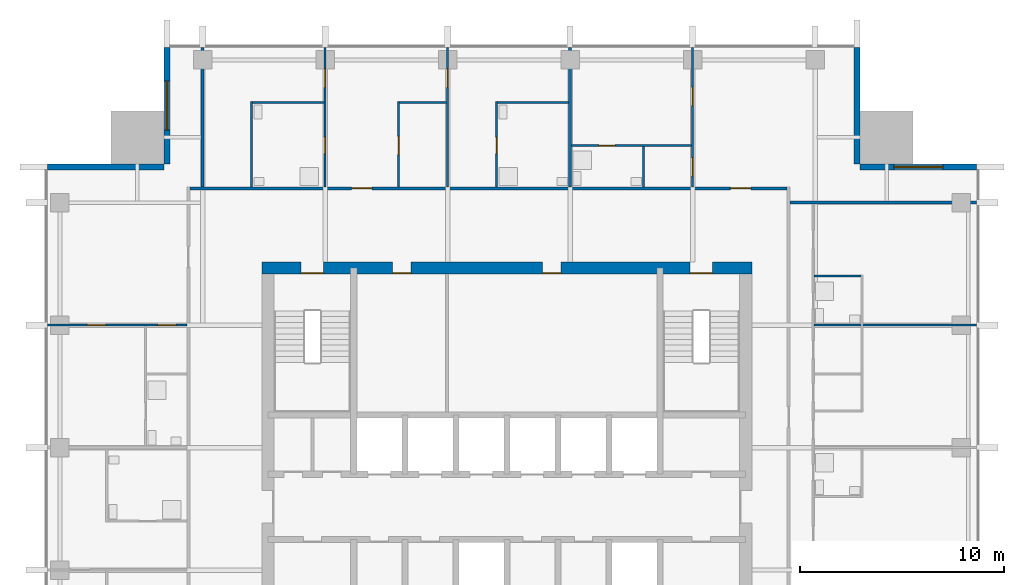
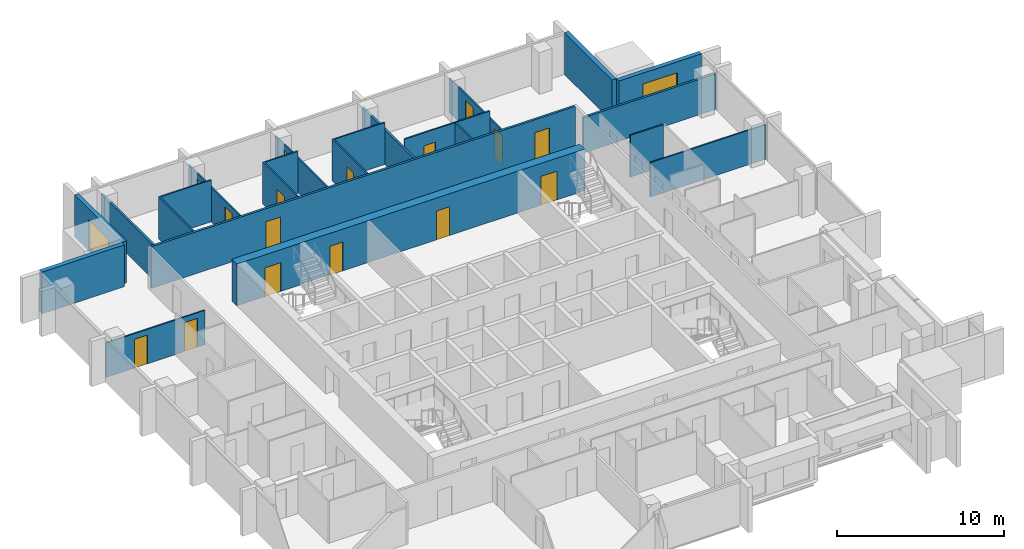
# One storey, part 7 of 10: 23 walls, 16 doors, 2 windows, 18 openings.
"""IFC4 building model written with IfcOpenShell, lengths in metres."""

from ifc_helpers import new_model, si_unit, direction, frame, frame_2d, origin, place, context, subcontext, project, spatial, rectangle, extrude, material, layer, layer_set, type_object, element, fill, save


model = new_model("IFC4")

# Units and contexts
model_context = context("Model", 3, precision=1e-05, world=origin(), true_north=direction((0.0, 1.0)))
body_context = subcontext(model_context, "Body", "Model", "MODEL_VIEW")
ifc_project = project(units=[si_unit("LENGTHUNIT", "METRE"), si_unit("AREAUNIT", "SQUARE_METRE"), si_unit("VOLUMEUNIT", "CUBIC_METRE"), si_unit("PLANEANGLEUNIT", "RADIAN"), si_unit("MASSUNIT", "GRAM", prefix="KILO")], contexts=[model_context])

# Site, building, storey
site_placement = place(None, origin())
site = spatial("IfcSite", under=ifc_project, at=site_placement, CompositionType="ELEMENT")
building_placement = place(site_placement, origin())
building = spatial("IfcBuilding", under=site, at=building_placement, Name="Amberfall Residences", CompositionType="ELEMENT")
storey_placement = place(building_placement, frame((0.0, 0.0, 203.5)))
storey = spatial("IfcBuildingStorey", under=building, at=storey_placement, Name="L54", CompositionType="ELEMENT", Elevation=203.5)

# Wall, opening, window
ifc_material_1 = material(Name="Pale stone cladding on insulated backing", Category="masonry")
ifc_layer_1 = layer(ifc_material_1, 0.300048828125)
ifc_layer_set_1 = layer_set([ifc_layer_1], Name="Bronze clad wall 300")
wall_type_1 = type_object("IfcWallType", Name="Bronze clad wall 300", PredefinedType="SOLIDWALL", material=ifc_layer_set_1)
wall_1_placement = place(storey_placement, frame((97.5, 62.14990234375, 0.0), z_axis=(0.0, 0.0, 1.0), x_axis=(-1.0, 0.0, 0.0)))
wall_1 = element("IfcWall", 1, at=wall_1_placement, inside=storey, type_object=wall_type_1, Name="External wall L54 NE", PredefinedType="SOLIDWALL", context=body_context, shape_type="SweptSolid", body=[
    extrude(rectangle(XDim=5.699951171875, YDim=0.300048828125, at=frame_2d((2.85009765625, 0.0))), origin(), (0.0, 0.0, 1.0), 3.050048828125),
])
opening_1_placement = place(wall_1_placement, frame((1.64990234375, 0.0, 0.14990234375)))
opening_1 = element("IfcOpeningElement", 2, at=opening_1_placement, cuts=wall_1, Name="Opening WN5", PredefinedType="OPENING", context=body_context, shape_type="SweptSolid", body=[
    extrude(rectangle(XDim=2.39990234375, YDim=2.10009765625, at=frame_2d((1.199951171875, 1.050048828125))), frame((0.0, 0.159912109375, 0.0), z_axis=(0.0, -1.0, 0.0), x_axis=(1.0, 0.0, 0.0)), (0.0, 0.0, 1.0), 0.320068359375),
])
ifc_material_2 = material(Name="Bronze aluminium framed glazing", Category="aluminium")
window_type = type_object("IfcWindowType", Name="Glazed opening 2400 x 2100 bronze", PartitioningType="DOUBLE_PANEL_VERTICAL", PredefinedType="WINDOW", material=ifc_material_2)
window_1_placement = place(opening_1_placement, origin())
window_1 = element("IfcWindow", 3, at=window_1_placement, inside=storey, type_object=window_type, Name="Window L54 NE", OverallHeight=2.10009765625, OverallWidth=2.39990234375, PartitioningType="DOUBLE_PANEL_VERTICAL", PredefinedType="WINDOW", context=body_context, shape_type="SweptSolid", body=[
    extrude(rectangle(XDim=2.39990234375, YDim=2.10009765625, at=frame_2d((1.199951171875, 1.050048828125))), frame((0.0, 0.030029296875, 0.0), z_axis=(0.0, -1.0, 0.0), x_axis=(1.0, 0.0, 0.0)), (0.0, 0.0, 1.0), 0.06005859375),
])
fill(opening_1, window_1)

# Wall
wall_2_placement = place(storey_placement, frame((91.64990234375, 62.300048828125, 0.0), z_axis=(0.0, 0.0, 1.0), x_axis=(0.0, 1.0, 0.0)))
element("IfcWall", 4, at=wall_2_placement, inside=storey, type_object=wall_type_1, Name="External wall L54 NE", PredefinedType="SOLIDWALL", context=body_context, shape_type="SweptSolid", body=[
    extrude(rectangle(XDim=5.699951171875, YDim=0.300048828125, at=frame_2d((2.85009765625, 0.0))), origin(), (0.0, 0.0, 1.0), 3.050048828125),
])

# Wall, opening, window
wall_3_placement = place(storey_placement, frame((57.85009765625, 68.0, 0.0), z_axis=(0.0, 0.0, 1.0), x_axis=(0.0, -1.0, 0.0)))
wall_3 = element("IfcWall", 5, at=wall_3_placement, inside=storey, type_object=wall_type_1, Name="External wall L54 NW", PredefinedType="SOLIDWALL", context=body_context, shape_type="SweptSolid", body=[
    extrude(rectangle(XDim=5.699951171875, YDim=0.300048828125, at=frame_2d((2.85009765625, 0.0))), origin(), (0.0, 0.0, 1.0), 3.050048828125),
])
opening_2_placement = place(wall_3_placement, frame((1.64990234375, 0.0, 0.14990234375)))
opening_2 = element("IfcOpeningElement", 6, at=opening_2_placement, cuts=wall_3, Name="Opening WN5", PredefinedType="OPENING", context=body_context, shape_type="SweptSolid", body=[
    extrude(rectangle(XDim=2.39990234375, YDim=2.10009765625, at=frame_2d((1.199951171875, 1.050048828125))), frame((0.0, 0.159912109375, 0.0), z_axis=(0.0, -1.0, 0.0), x_axis=(1.0, 0.0, 0.0)), (0.0, 0.0, 1.0), 0.320068359375),
])
window_2_placement = place(opening_2_placement, origin())
window_2 = element("IfcWindow", 7, at=window_2_placement, inside=storey, type_object=window_type, Name="Window L54 NW", OverallHeight=2.10009765625, OverallWidth=2.39990234375, PartitioningType="DOUBLE_PANEL_VERTICAL", PredefinedType="WINDOW", context=body_context, shape_type="SweptSolid", body=[
    extrude(rectangle(XDim=2.39990234375, YDim=2.10009765625, at=frame_2d((1.199951171875, 1.050048828125))), frame((0.0, 0.030029296875, 0.0), z_axis=(0.0, -1.0, 0.0), x_axis=(1.0, 0.0, 0.0)), (0.0, 0.0, 1.0), 0.06005859375),
])
fill(opening_2, window_2)

# Wall
wall_4_placement = place(storey_placement, frame((57.699951171875, 62.14990234375, 0.0), z_axis=(0.0, 0.0, 1.0), x_axis=(-1.0, 0.0, 0.0)))
element("IfcWall", 8, at=wall_4_placement, inside=storey, type_object=wall_type_1, Name="External wall L54 NW", PredefinedType="SOLIDWALL", context=body_context, shape_type="SweptSolid", body=[
    extrude(rectangle(XDim=5.699951171875, YDim=0.300048828125, at=frame_2d((2.85009765625, 0.0))), origin(), (0.0, 0.0, 1.0), 3.050048828125),
])

# Wall, openings, doors
ifc_material_3 = material(Name="Concrete C55", Category="concrete")
ifc_layer_2 = layer(ifc_material_3, 0.60009765625)
ifc_layer_set_2 = layer_set([ifc_layer_2], Name="Core wall 600 C55")
wall_type_2 = type_object("IfcWallType", Name="Core wall 600 C55", PredefinedType="SHEAR", material=ifc_layer_set_2)
wall_5_placement = place(storey_placement, frame((62.5, 57.199951171875, 0.0), z_axis=(0.0, 0.0, 1.0), x_axis=(1.0, 0.0, 0.0)))
wall_5 = element("IfcWall", 9, at=wall_5_placement, inside=storey, type_object=wall_type_2, Name="Core wall RW7 L54 ON", PredefinedType="SHEAR", context=body_context, shape_type="SweptSolid", body=[
    extrude(rectangle(XDim=24.0, YDim=0.60009765625, at=frame_2d((12.0, 0.0))), origin(), (0.0, 0.0, 1.0), 3.050048828125),
])
opening_3_placement = place(wall_5_placement, frame((20.97509765625, 0.0, 0.0)))
opening_3 = element("IfcOpeningElement", 10, at=opening_3_placement, cuts=wall_5, Name="Opening SD1", PredefinedType="OPENING", context=body_context, shape_type="SweptSolid", body=[
    extrude(rectangle(XDim=1.10009765625, YDim=2.10009765625, at=frame_2d((0.550048828125, 1.050048828125))), frame((0.0, 0.31005859375, 0.0), z_axis=(0.0, -1.0, 0.0), x_axis=(1.0, 0.0, 0.0)), (0.0, 0.0, 1.0), 0.6201171875),
])
opening_4_placement = place(wall_5_placement, frame((1.925048828125, 0.0, 0.0)))
opening_4 = element("IfcOpeningElement", 11, at=opening_4_placement, cuts=wall_5, Name="Opening SD1", PredefinedType="OPENING", context=body_context, shape_type="SweptSolid", body=[
    extrude(rectangle(XDim=1.10009765625, YDim=2.10009765625, at=frame_2d((0.550048828125, 1.050048828125))), frame((0.0, 0.31005859375, 0.0), z_axis=(0.0, -1.0, 0.0), x_axis=(1.0, 0.0, 0.0)), (0.0, 0.0, 1.0), 0.6201171875),
])
opening_5_placement = place(wall_5_placement, frame((6.405029296875, 0.0, 0.0)))
opening_5 = element("IfcOpeningElement", 12, at=opening_5_placement, cuts=wall_5, Name="Opening RD1", PredefinedType="OPENING", context=body_context, shape_type="SweptSolid", body=[
    extrude(rectangle(XDim=0.89990234375, YDim=2.10009765625, at=frame_2d((0.449951171875, 1.050048828125))), frame((0.0, 0.31005859375, 0.0), z_axis=(0.0, -1.0, 0.0), x_axis=(1.0, 0.0, 0.0)), (0.0, 0.0, 1.0), 0.6201171875),
])
opening_6_placement = place(wall_5_placement, frame((13.7548828125, 0.0, 0.0)))
opening_6 = element("IfcOpeningElement", 13, at=opening_6_placement, cuts=wall_5, Name="Opening RD1", PredefinedType="OPENING", context=body_context, shape_type="SweptSolid", body=[
    extrude(rectangle(XDim=0.89990234375, YDim=2.10009765625, at=frame_2d((0.449951171875, 1.050048828125))), frame((0.0, 0.31005859375, 0.0), z_axis=(0.0, -1.0, 0.0), x_axis=(1.0, 0.0, 0.0)), (0.0, 0.0, 1.0), 0.6201171875),
])
ifc_material_4 = material(Name="Steel fire door set", Category="steel")
door_type_1 = type_object("IfcDoorType", Name="Service room door 900 x 2100", OperationType="SINGLE_SWING_LEFT", PredefinedType="DOOR", material=ifc_material_4)
door_1_placement = place(opening_5_placement, origin())
door_1 = element("IfcDoor", 14, at=door_1_placement, inside=storey, type_object=door_type_1, Name="RD1 L54", OperationType="SINGLE_SWING_RIGHT", OverallHeight=2.10009765625, OverallWidth=0.89990234375, PredefinedType="DOOR", context=body_context, shape_type="SweptSolid", body=[
    extrude(rectangle(XDim=0.89990234375, YDim=2.10009765625, at=frame_2d((0.449951171875, 1.050048828125))), frame((0.0, -0.2373046875, 0.0), z_axis=(0.0, -1.0, 0.0), x_axis=(1.0, 0.0, 0.0)), (0.0, 0.0, 1.0), 0.050048828125),
])
fill(opening_5, door_1)
door_2_placement = place(opening_6_placement, origin())
door_2 = element("IfcDoor", 15, at=door_2_placement, inside=storey, type_object=door_type_1, Name="RD1 L54", OperationType="SINGLE_SWING_RIGHT", OverallHeight=2.10009765625, OverallWidth=0.89990234375, PredefinedType="DOOR", context=body_context, shape_type="SweptSolid", body=[
    extrude(rectangle(XDim=0.89990234375, YDim=2.10009765625, at=frame_2d((0.449951171875, 1.050048828125))), frame((0.0, -0.2373046875, 0.0), z_axis=(0.0, -1.0, 0.0), x_axis=(1.0, 0.0, 0.0)), (0.0, 0.0, 1.0), 0.050048828125),
])
fill(opening_6, door_2)
door_type_2 = type_object("IfcDoorType", Name="Stair door 1100 x 2100", OperationType="SINGLE_SWING_LEFT", PredefinedType="DOOR", material=ifc_material_4)
door_3_placement = place(opening_3_placement, origin())
door_3 = element("IfcDoor", 16, at=door_3_placement, inside=storey, type_object=door_type_2, Name="SD1 L54", OperationType="SINGLE_SWING_RIGHT", OverallHeight=2.10009765625, OverallWidth=1.10009765625, PredefinedType="DOOR", context=body_context, shape_type="SweptSolid", body=[
    extrude(rectangle(XDim=1.10009765625, YDim=2.10009765625, at=frame_2d((0.550048828125, 1.050048828125))), frame((0.0, -0.2373046875, 0.0), z_axis=(0.0, -1.0, 0.0), x_axis=(1.0, 0.0, 0.0)), (0.0, 0.0, 1.0), 0.050048828125),
])
fill(opening_3, door_3)
door_4_placement = place(opening_4_placement, origin())
door_4 = element("IfcDoor", 17, at=door_4_placement, inside=storey, type_object=door_type_2, Name="SD1 L54", OperationType="SINGLE_SWING_LEFT", OverallHeight=2.10009765625, OverallWidth=1.10009765625, PredefinedType="DOOR", context=body_context, shape_type="SweptSolid", body=[
    extrude(rectangle(XDim=1.10009765625, YDim=2.10009765625, at=frame_2d((0.550048828125, 1.050048828125))), frame((0.0, -0.2373046875, 0.0), z_axis=(0.0, -1.0, 0.0), x_axis=(1.0, 0.0, 0.0)), (0.0, 0.0, 1.0), 0.050048828125),
])
fill(opening_4, door_4)

# Wall
ifc_material_5 = material(Name="Gypsum board on metal stud")
ifc_layer_3 = layer(ifc_material_5, 0.10009765625)
ifc_layer_set_3 = layer_set([ifc_layer_3], Name="Flat partition 100")
wall_type_3 = type_object("IfcWallType", Name="Flat partition 100", PredefinedType="PARTITIONING", material=ifc_layer_set_3)
wall_6_placement = place(storey_placement, frame((62.0, 61.175048828125, 0.0), z_axis=(0.0, 0.0, 1.0), x_axis=(0.0, 1.0, 0.0)))
element("IfcWall", 18, at=wall_6_placement, inside=storey, type_object=wall_type_3, Name="Partition 005", PredefinedType="PARTITIONING", context=body_context, shape_type="SweptSolid", body=[
    extrude(rectangle(XDim=4.175048828125, YDim=0.10009765625, at=frame_2d((2.08740234375, 0.0))), origin(), (0.0, 0.0, 1.0), 3.050048828125),
])

# Wall, openings, doors
wall_7_placement = place(storey_placement, frame((65.60009765625, 61.175048828125, 0.0), z_axis=(0.0, 0.0, 1.0), x_axis=(0.0, 1.0, 0.0)))
wall_7 = element("IfcWall", 19, at=wall_7_placement, inside=storey, type_object=wall_type_3, Name="Partition 007", PredefinedType="PARTITIONING", context=body_context, shape_type="SweptSolid", body=[
    extrude(rectangle(XDim=6.824951171875, YDim=0.10009765625, at=frame_2d((3.41259765625, 0.0))), origin(), (0.0, 0.0, 1.0), 2.51611328125),
])
opening_7_placement = place(wall_7_placement, frame((4.875, 0.0, 0.0)))
opening_7 = element("IfcOpeningElement", 20, at=opening_7_placement, cuts=wall_7, Name="Opening D41", PredefinedType="OPENING", context=body_context, shape_type="SweptSolid", body=[
    extrude(rectangle(XDim=0.89990234375, YDim=2.10009765625, at=frame_2d((0.449951171875, 1.050048828125))), frame((0.0, 0.06005859375, 0.0), z_axis=(0.0, -1.0, 0.0), x_axis=(1.0, 0.0, 0.0)), (0.0, 0.0, 1.0), 0.1201171875),
])
opening_8_placement = place(wall_7_placement, frame((1.625, 0.0, 0.0)))
opening_8 = element("IfcOpeningElement", 21, at=opening_8_placement, cuts=wall_7, Name="Opening D42", PredefinedType="OPENING", context=body_context, shape_type="SweptSolid", body=[
    extrude(rectangle(XDim=0.800048828125, YDim=2.10009765625, at=frame_2d((0.39990234375, 1.050048828125))), frame((0.0, 0.06005859375, 0.0), z_axis=(0.0, -1.0, 0.0), x_axis=(1.0, 0.0, 0.0)), (0.0, 0.0, 1.0), 0.1201171875),
])
ifc_material_6 = material(Name="Timber", Category="wood")
door_type_3 = type_object("IfcDoorType", Name="Bathroom door 800 x 2100", OperationType="SINGLE_SWING_LEFT", PredefinedType="DOOR", material=ifc_material_6)
door_5_placement = place(opening_8_placement, origin())
door_5 = element("IfcDoor", 22, at=door_5_placement, inside=storey, type_object=door_type_3, Name="Door 5405 bath1", OperationType="SINGLE_SWING_LEFT", OverallHeight=2.10009765625, OverallWidth=0.800048828125, PredefinedType="DOOR", context=body_context, shape_type="SweptSolid", body=[
    extrude(rectangle(XDim=0.800048828125, YDim=2.10009765625, at=frame_2d((0.39990234375, 1.050048828125))), frame((0.0, 0.02490234375, 0.0), z_axis=(0.0, -1.0, 0.0), x_axis=(1.0, 0.0, 0.0)), (0.0, 0.0, 1.0), 0.050048828125),
])
fill(opening_8, door_5)
door_type_4 = type_object("IfcDoorType", Name="Internal door 900 x 2100", OperationType="SINGLE_SWING_LEFT", PredefinedType="DOOR", material=ifc_material_6)
door_6_placement = place(opening_7_placement, origin())
door_6 = element("IfcDoor", 23, at=door_6_placement, inside=storey, type_object=door_type_4, Name="Door 5405 bedroom1", OperationType="SINGLE_SWING_LEFT", OverallHeight=2.10009765625, OverallWidth=0.89990234375, PredefinedType="DOOR", context=body_context, shape_type="SweptSolid", body=[
    extrude(rectangle(XDim=0.89990234375, YDim=2.10009765625, at=frame_2d((0.449951171875, 1.050048828125))), frame((0.0, 0.02490234375, 0.0), z_axis=(0.0, -1.0, 0.0), x_axis=(1.0, 0.0, 0.0)), (0.0, 0.0, 1.0), 0.050048828125),
])
fill(opening_7, door_6)

# Wall, opening, door
wall_8_placement = place(storey_placement, frame((69.199951171875, 65.35009765625, 0.0), z_axis=(0.0, 0.0, 1.0), x_axis=(0.0, -1.0, 0.0)))
wall_8 = element("IfcWall", 24, at=wall_8_placement, inside=storey, type_object=wall_type_3, Name="Partition 009", PredefinedType="PARTITIONING", context=body_context, shape_type="SweptSolid", body=[
    extrude(rectangle(XDim=4.175048828125, YDim=0.10009765625, at=frame_2d((2.08740234375, 0.0))), origin(), (0.0, 0.0, 1.0), 3.050048828125),
])
opening_9_placement = place(wall_8_placement, frame((1.699951171875, 0.0, 0.0)))
opening_9 = element("IfcOpeningElement", 25, at=opening_9_placement, cuts=wall_8, Name="Opening D41", PredefinedType="OPENING", context=body_context, shape_type="SweptSolid", body=[
    extrude(rectangle(XDim=0.89990234375, YDim=2.10009765625, at=frame_2d((0.449951171875, 1.050048828125))), frame((0.0, 0.06005859375, 0.0), z_axis=(0.0, -1.0, 0.0), x_axis=(1.0, 0.0, 0.0)), (0.0, 0.0, 1.0), 0.1201171875),
])
door_7_placement = place(opening_9_placement, origin())
door_7 = element("IfcDoor", 26, at=door_7_placement, inside=storey, type_object=door_type_4, Name="Door 5405 kitchen", OperationType="SINGLE_SWING_LEFT", OverallHeight=2.10009765625, OverallWidth=0.89990234375, PredefinedType="DOOR", context=body_context, shape_type="SweptSolid", body=[
    extrude(rectangle(XDim=0.89990234375, YDim=2.10009765625, at=frame_2d((0.449951171875, 1.050048828125))), frame((0.0, 0.02490234375, 0.0), z_axis=(0.0, -1.0, 0.0), x_axis=(1.0, 0.0, 0.0)), (0.0, 0.0, 1.0), 0.050048828125),
])
fill(opening_9, door_7)

wall_9_placement = place(storey_placement, frame((71.60009765625, 68.0, 0.0), z_axis=(0.0, 0.0, 1.0), x_axis=(0.0, -1.0, 0.0)))
wall_9 = element("IfcWall", 27, at=wall_9_placement, inside=storey, type_object=wall_type_3, Name="Partition 010", PredefinedType="PARTITIONING", context=body_context, shape_type="SweptSolid", body=[
    extrude(rectangle(XDim=6.824951171875, YDim=0.10009765625, at=frame_2d((3.41259765625, 0.0))), origin(), (0.0, 0.0, 1.0), 2.51611328125),
])
opening_10_placement = place(wall_9_placement, frame((1.050048828125, 0.0, 0.0)))
opening_10 = element("IfcOpeningElement", 28, at=opening_10_placement, cuts=wall_9, Name="Opening D41", PredefinedType="OPENING", context=body_context, shape_type="SweptSolid", body=[
    extrude(rectangle(XDim=0.89990234375, YDim=2.10009765625, at=frame_2d((0.449951171875, 1.050048828125))), frame((0.0, 0.06005859375, 0.0), z_axis=(0.0, -1.0, 0.0), x_axis=(1.0, 0.0, 0.0)), (0.0, 0.0, 1.0), 0.1201171875),
])
door_8_placement = place(opening_10_placement, origin())
door_8 = element("IfcDoor", 29, at=door_8_placement, inside=storey, type_object=door_type_4, Name="Door 5405 bedroom2", OperationType="SINGLE_SWING_LEFT", OverallHeight=2.10009765625, OverallWidth=0.89990234375, PredefinedType="DOOR", context=body_context, shape_type="SweptSolid", body=[
    extrude(rectangle(XDim=0.89990234375, YDim=2.10009765625, at=frame_2d((0.449951171875, 1.050048828125))), frame((0.0, 0.02490234375, 0.0), z_axis=(0.0, -1.0, 0.0), x_axis=(1.0, 0.0, 0.0)), (0.0, 0.0, 1.0), 0.050048828125),
])
fill(opening_10, door_8)

wall_10_placement = place(storey_placement, frame((74.0, 65.35009765625, 0.0), z_axis=(0.0, 0.0, 1.0), x_axis=(0.0, -1.0, 0.0)))
wall_10 = element("IfcWall", 30, at=wall_10_placement, inside=storey, type_object=wall_type_3, Name="Partition 012", PredefinedType="PARTITIONING", context=body_context, shape_type="SweptSolid", body=[
    extrude(rectangle(XDim=4.175048828125, YDim=0.10009765625, at=frame_2d((2.08740234375, 0.0))), origin(), (0.0, 0.0, 1.0), 3.050048828125),
])
opening_11_placement = place(wall_10_placement, frame((1.75, 0.0, 0.0)))
opening_11 = element("IfcOpeningElement", 31, at=opening_11_placement, cuts=wall_10, Name="Opening D42", PredefinedType="OPENING", context=body_context, shape_type="SweptSolid", body=[
    extrude(rectangle(XDim=0.800048828125, YDim=2.10009765625, at=frame_2d((0.39990234375, 1.050048828125))), frame((0.0, 0.06005859375, 0.0), z_axis=(0.0, -1.0, 0.0), x_axis=(1.0, 0.0, 0.0)), (0.0, 0.0, 1.0), 0.1201171875),
])
door_9_placement = place(opening_11_placement, origin())
door_9 = element("IfcDoor", 32, at=door_9_placement, inside=storey, type_object=door_type_3, Name="Door 5405 bath2", OperationType="SINGLE_SWING_LEFT", OverallHeight=2.10009765625, OverallWidth=0.800048828125, PredefinedType="DOOR", context=body_context, shape_type="SweptSolid", body=[
    extrude(rectangle(XDim=0.800048828125, YDim=2.10009765625, at=frame_2d((0.39990234375, 1.050048828125))), frame((0.0, 0.02490234375, 0.0), z_axis=(0.0, -1.0, 0.0), x_axis=(1.0, 0.0, 0.0)), (0.0, 0.0, 1.0), 0.050048828125),
])
fill(opening_11, door_9)

# Wall
wall_11_placement = place(storey_placement, frame((81.199951171875, 61.175048828125, 0.0), z_axis=(0.0, 0.0, 1.0), x_axis=(0.0, 1.0, 0.0)))
element("IfcWall", 33, at=wall_11_placement, inside=storey, type_object=wall_type_3, Name="Partition 016", PredefinedType="PARTITIONING", context=body_context, shape_type="SweptSolid", body=[
    extrude(rectangle(XDim=1.974853515625, YDim=0.10009765625, at=frame_2d((0.9873046875, 0.0))), origin(), (0.0, 0.0, 1.0), 3.050048828125),
])

# Wall, openings, doors
wall_12_placement = place(storey_placement, frame((83.60009765625, 61.175048828125, 0.0), z_axis=(0.0, 0.0, 1.0), x_axis=(0.0, 1.0, 0.0)))
wall_12 = element("IfcWall", 34, at=wall_12_placement, inside=storey, type_object=wall_type_3, Name="Partition 018", PredefinedType="PARTITIONING", context=body_context, shape_type="SweptSolid", body=[
    extrude(rectangle(XDim=6.824951171875, YDim=0.10009765625, at=frame_2d((3.41259765625, 0.0))), origin(), (0.0, 0.0, 1.0), 2.51611328125),
])
opening_12_placement = place(wall_12_placement, frame((0.52490234375, 0.0, 0.0)))
opening_12 = element("IfcOpeningElement", 35, at=opening_12_placement, cuts=wall_12, Name="Opening D41", PredefinedType="OPENING", context=body_context, shape_type="SweptSolid", body=[
    extrude(rectangle(XDim=0.89990234375, YDim=2.10009765625, at=frame_2d((0.449951171875, 1.050048828125))), frame((0.0, 0.06005859375, 0.0), z_axis=(0.0, -1.0, 0.0), x_axis=(1.0, 0.0, 0.0)), (0.0, 0.0, 1.0), 0.1201171875),
])
opening_13_placement = place(wall_12_placement, frame((3.97509765625, 0.0, 0.0)))
opening_13 = element("IfcOpeningElement", 36, at=opening_13_placement, cuts=wall_12, Name="Opening D41", PredefinedType="OPENING", context=body_context, shape_type="SweptSolid", body=[
    extrude(rectangle(XDim=0.89990234375, YDim=2.10009765625, at=frame_2d((0.449951171875, 1.050048828125))), frame((0.0, 0.06005859375, 0.0), z_axis=(0.0, -1.0, 0.0), x_axis=(1.0, 0.0, 0.0)), (0.0, 0.0, 1.0), 0.1201171875),
])
door_10_placement = place(opening_12_placement, origin())
door_10 = element("IfcDoor", 37, at=door_10_placement, inside=storey, type_object=door_type_4, Name="Door 5406 kitchen", OperationType="SINGLE_SWING_LEFT", OverallHeight=2.10009765625, OverallWidth=0.89990234375, PredefinedType="DOOR", context=body_context, shape_type="SweptSolid", body=[
    extrude(rectangle(XDim=0.89990234375, YDim=2.10009765625, at=frame_2d((0.449951171875, 1.050048828125))), frame((0.0, 0.02490234375, 0.0), z_axis=(0.0, -1.0, 0.0), x_axis=(1.0, 0.0, 0.0)), (0.0, 0.0, 1.0), 0.050048828125),
])
fill(opening_12, door_10)
door_11_placement = place(opening_13_placement, origin())
door_11 = element("IfcDoor", 38, at=door_11_placement, inside=storey, type_object=door_type_4, Name="Door 5406 bedroom1", OperationType="SINGLE_SWING_LEFT", OverallHeight=2.10009765625, OverallWidth=0.89990234375, PredefinedType="DOOR", context=body_context, shape_type="SweptSolid", body=[
    extrude(rectangle(XDim=0.89990234375, YDim=2.10009765625, at=frame_2d((0.449951171875, 1.050048828125))), frame((0.0, 0.02490234375, 0.0), z_axis=(0.0, -1.0, 0.0), x_axis=(1.0, 0.0, 0.0)), (0.0, 0.0, 1.0), 0.050048828125),
])
fill(opening_13, door_11)

# Walls
wall_13_placement = place(storey_placement, frame((62.050048828125, 65.300048828125, 0.0), z_axis=(0.0, 0.0, 1.0), x_axis=(1.0, 0.0, 0.0)))
element("IfcWall", 39, at=wall_13_placement, inside=storey, type_object=wall_type_3, Name="Partition 025", PredefinedType="PARTITIONING", context=body_context, shape_type="SweptSolid", body=[
    extrude(rectangle(XDim=3.5, YDim=0.10009765625, at=frame_2d((1.75, 0.0))), origin(), (0.0, 0.0, 1.0), 3.050048828125),
])
wall_14_placement = place(storey_placement, frame((69.25, 65.300048828125, 0.0), z_axis=(0.0, 0.0, 1.0), x_axis=(1.0, 0.0, 0.0)))
element("IfcWall", 40, at=wall_14_placement, inside=storey, type_object=wall_type_3, Name="Partition 026", PredefinedType="PARTITIONING", context=body_context, shape_type="SweptSolid", body=[
    extrude(rectangle(XDim=2.300048828125, YDim=0.10009765625, at=frame_2d((1.14990234375, 0.0))), origin(), (0.0, 0.0, 1.0), 3.050048828125),
])
wall_15_placement = place(storey_placement, frame((74.050048828125, 65.300048828125, 0.0), z_axis=(0.0, 0.0, 1.0), x_axis=(1.0, 0.0, 0.0)))
element("IfcWall", 41, at=wall_15_placement, inside=storey, type_object=wall_type_3, Name="Partition 027", PredefinedType="PARTITIONING", context=body_context, shape_type="SweptSolid", body=[
    extrude(rectangle(XDim=3.474853515625, YDim=0.10009765625, at=frame_2d((1.7373046875, 0.0))), origin(), (0.0, 0.0, 1.0), 3.050048828125),
])

# Wall, opening, door
wall_16_placement = place(storey_placement, frame((83.550048828125, 63.199951171875, 0.0), z_axis=(0.0, 0.0, 1.0), x_axis=(-1.0, 0.0, 0.0)))
wall_16 = element("IfcWall", 42, at=wall_16_placement, inside=storey, type_object=wall_type_3, Name="Partition 028", PredefinedType="PARTITIONING", context=body_context, shape_type="SweptSolid", body=[
    extrude(rectangle(XDim=5.875, YDim=0.10009765625, at=frame_2d((2.9375, 0.0))), origin(), (0.0, 0.0, 1.0), 3.050048828125),
])
opening_14_placement = place(wall_16_placement, frame((3.75, 0.0, 0.0)))
opening_14 = element("IfcOpeningElement", 43, at=opening_14_placement, cuts=wall_16, Name="Opening D42", PredefinedType="OPENING", context=body_context, shape_type="SweptSolid", body=[
    extrude(rectangle(XDim=0.800048828125, YDim=2.10009765625, at=frame_2d((0.39990234375, 1.050048828125))), frame((0.0, 0.06005859375, 0.0), z_axis=(0.0, -1.0, 0.0), x_axis=(1.0, 0.0, 0.0)), (0.0, 0.0, 1.0), 0.1201171875),
])
door_12_placement = place(opening_14_placement, origin())
door_12 = element("IfcDoor", 44, at=door_12_placement, inside=storey, type_object=door_type_3, Name="Door 5406 bath1", OperationType="SINGLE_SWING_LEFT", OverallHeight=2.10009765625, OverallWidth=0.800048828125, PredefinedType="DOOR", context=body_context, shape_type="SweptSolid", body=[
    extrude(rectangle(XDim=0.800048828125, YDim=2.10009765625, at=frame_2d((0.39990234375, 1.050048828125))), frame((0.0, 0.02490234375, 0.0), z_axis=(0.0, -1.0, 0.0), x_axis=(1.0, 0.0, 0.0)), (0.0, 0.0, 1.0), 0.050048828125),
])
fill(opening_14, door_12)

# Wall
wall_17_placement = place(storey_placement, frame((89.550048828125, 56.800048828125, 0.0), z_axis=(0.0, 0.0, 1.0), x_axis=(1.0, 0.0, 0.0)))
element("IfcWall", 45, at=wall_17_placement, inside=storey, type_object=wall_type_3, Name="Partition 029", PredefinedType="PARTITIONING", context=body_context, shape_type="SweptSolid", body=[
    extrude(rectangle(XDim=2.300048828125, YDim=0.10009765625, at=frame_2d((1.14990234375, 0.0))), origin(), (0.0, 0.0, 1.0), 3.050048828125),
])

# Wall, openings, doors
wall_18_placement = place(storey_placement, frame((58.824951171875, 54.39990234375, 0.0), z_axis=(0.0, 0.0, 1.0), x_axis=(-1.0, 0.0, 0.0)))
wall_18 = element("IfcWall", 46, at=wall_18_placement, inside=storey, type_object=wall_type_3, Name="Partition 030", PredefinedType="PARTITIONING", context=body_context, shape_type="SweptSolid", body=[
    extrude(rectangle(XDim=6.824951171875, YDim=0.10009765625, at=frame_2d((3.41259765625, 0.0))), origin(), (0.0, 0.0, 1.0), 2.51611328125),
])
opening_15_placement = place(wall_18_placement, frame((0.52490234375, 0.0, 0.0)))
opening_15 = element("IfcOpeningElement", 47, at=opening_15_placement, cuts=wall_18, Name="Opening D41", PredefinedType="OPENING", context=body_context, shape_type="SweptSolid", body=[
    extrude(rectangle(XDim=0.89990234375, YDim=2.10009765625, at=frame_2d((0.449951171875, 1.050048828125))), frame((0.0, 0.06005859375, 0.0), z_axis=(0.0, -1.0, 0.0), x_axis=(1.0, 0.0, 0.0)), (0.0, 0.0, 1.0), 0.1201171875),
])
opening_16_placement = place(wall_18_placement, frame((3.97509765625, 0.0, 0.0)))
opening_16 = element("IfcOpeningElement", 48, at=opening_16_placement, cuts=wall_18, Name="Opening D41", PredefinedType="OPENING", context=body_context, shape_type="SweptSolid", body=[
    extrude(rectangle(XDim=0.89990234375, YDim=2.10009765625, at=frame_2d((0.449951171875, 1.050048828125))), frame((0.0, 0.06005859375, 0.0), z_axis=(0.0, -1.0, 0.0), x_axis=(1.0, 0.0, 0.0)), (0.0, 0.0, 1.0), 0.1201171875),
])
door_13_placement = place(opening_15_placement, origin())
door_13 = element("IfcDoor", 49, at=door_13_placement, inside=storey, type_object=door_type_4, Name="Door 5408 kitchen", OperationType="SINGLE_SWING_LEFT", OverallHeight=2.10009765625, OverallWidth=0.89990234375, PredefinedType="DOOR", context=body_context, shape_type="SweptSolid", body=[
    extrude(rectangle(XDim=0.89990234375, YDim=2.10009765625, at=frame_2d((0.449951171875, 1.050048828125))), frame((0.0, 0.02490234375, 0.0), z_axis=(0.0, -1.0, 0.0), x_axis=(1.0, 0.0, 0.0)), (0.0, 0.0, 1.0), 0.050048828125),
])
fill(opening_15, door_13)
door_14_placement = place(opening_16_placement, origin())
door_14 = element("IfcDoor", 50, at=door_14_placement, inside=storey, type_object=door_type_4, Name="Door 5408 bedroom1", OperationType="SINGLE_SWING_LEFT", OverallHeight=2.10009765625, OverallWidth=0.89990234375, PredefinedType="DOOR", context=body_context, shape_type="SweptSolid", body=[
    extrude(rectangle(XDim=0.89990234375, YDim=2.10009765625, at=frame_2d((0.449951171875, 1.050048828125))), frame((0.0, 0.02490234375, 0.0), z_axis=(0.0, -1.0, 0.0), x_axis=(1.0, 0.0, 0.0)), (0.0, 0.0, 1.0), 0.050048828125),
])
fill(opening_16, door_14)

# Walls
wall_19_placement = place(storey_placement, frame((89.550048828125, 54.39990234375, 0.0), z_axis=(0.0, 0.0, 1.0), x_axis=(1.0, 0.0, 0.0)))
element("IfcWall", 51, at=wall_19_placement, inside=storey, type_object=wall_type_3, Name="Partition 031", PredefinedType="PARTITIONING", context=body_context, shape_type="SweptSolid", body=[
    extrude(rectangle(XDim=7.949951171875, YDim=0.10009765625, at=frame_2d((3.97509765625, 0.0))), origin(), (0.0, 0.0, 1.0), 2.51611328125),
])
ifc_material_7 = material(Name="Blockwork, plastered", Category="masonry")
ifc_layer_4 = layer(ifc_material_7, 0.14990234375)
ifc_layer_set_4 = layer_set([ifc_layer_4], Name="Flat separating wall 150")
wall_type_4 = type_object("IfcWallType", Name="Flat separating wall 150", PredefinedType="PARTITIONING", material=ifc_layer_set_4)
wall_20_placement = place(storey_placement, frame((59.60009765625, 61.175048828125, 0.0), z_axis=(0.0, 0.0, 1.0), x_axis=(0.0, 1.0, 0.0)))
element("IfcWall", 52, at=wall_20_placement, inside=storey, type_object=wall_type_4, Name="Separating wall 050", PredefinedType="PARTITIONING", context=body_context, shape_type="SweptSolid", body=[
    extrude(rectangle(XDim=6.824951171875, YDim=0.14990234375, at=frame_2d((3.41259765625, 0.0))), origin(), (0.0, 0.0, 1.0), 2.510009765625),
])
wall_21_placement = place(storey_placement, frame((77.60009765625, 61.175048828125, 0.0), z_axis=(0.0, 0.0, 1.0), x_axis=(0.0, 1.0, 0.0)))
element("IfcWall", 53, at=wall_21_placement, inside=storey, type_object=wall_type_4, Name="Separating wall 052", PredefinedType="PARTITIONING", context=body_context, shape_type="SweptSolid", body=[
    extrude(rectangle(XDim=6.824951171875, YDim=0.14990234375, at=frame_2d((3.41259765625, 0.0))), origin(), (0.0, 0.0, 1.0), 2.51611328125),
])

# Wall, openings, doors
wall_22_placement = place(storey_placement, frame((58.97509765625, 61.10009765625, 0.0), z_axis=(0.0, 0.0, 1.0), x_axis=(1.0, 0.0, 0.0)))
wall_22 = element("IfcWall", 54, at=wall_22_placement, inside=storey, type_object=wall_type_4, Name="Separating wall 055", PredefinedType="PARTITIONING", context=body_context, shape_type="SweptSolid", body=[
    extrude(rectangle(XDim=29.25, YDim=0.14990234375, at=frame_2d((14.625, 0.0))), origin(), (0.0, 0.0, 1.0), 3.050048828125),
])
opening_17_placement = place(wall_22_placement, frame((7.925048828125, 0.0, 0.0)))
opening_17 = element("IfcOpeningElement", 55, at=opening_17_placement, cuts=wall_22, Name="Opening D40", PredefinedType="OPENING", context=body_context, shape_type="SweptSolid", body=[
    extrude(rectangle(XDim=1.0, YDim=2.10009765625, at=frame_2d((0.5, 1.050048828125))), frame((0.0, 0.0849609375, 0.0), z_axis=(0.0, -1.0, 0.0), x_axis=(1.0, 0.0, 0.0)), (0.0, 0.0, 1.0), 0.169921875),
])
opening_18_placement = place(wall_22_placement, frame((26.47509765625, 0.0, 0.0)))
opening_18 = element("IfcOpeningElement", 56, at=opening_18_placement, cuts=wall_22, Name="Opening D40", PredefinedType="OPENING", context=body_context, shape_type="SweptSolid", body=[
    extrude(rectangle(XDim=1.0, YDim=2.10009765625, at=frame_2d((0.5, 1.050048828125))), frame((0.0, 0.0849609375, 0.0), z_axis=(0.0, -1.0, 0.0), x_axis=(1.0, 0.0, 0.0)), (0.0, 0.0, 1.0), 0.169921875),
])
ifc_material_8 = material(Name="Timber, fire-rated", Category="wood")
door_type_5 = type_object("IfcDoorType", Name="Flat entrance door FD60 1000 x 2100", OperationType="SINGLE_SWING_LEFT", PredefinedType="DOOR", material=ifc_material_8)
door_15_placement = place(opening_17_placement, origin())
door_15 = element("IfcDoor", 57, at=door_15_placement, inside=storey, type_object=door_type_5, Name="Door 5405 entrance", OperationType="SINGLE_SWING_LEFT", OverallHeight=2.10009765625, OverallWidth=1.0, PredefinedType="DOOR", context=body_context, shape_type="SweptSolid", body=[
    extrude(rectangle(XDim=1.0, YDim=2.10009765625, at=frame_2d((0.5, 1.050048828125))), frame((0.0, 0.02490234375, 0.0), z_axis=(0.0, -1.0, 0.0), x_axis=(1.0, 0.0, 0.0)), (0.0, 0.0, 1.0), 0.050048828125),
])
fill(opening_17, door_15)
door_16_placement = place(opening_18_placement, origin())
door_16 = element("IfcDoor", 58, at=door_16_placement, inside=storey, type_object=door_type_5, Name="Door 5406 entrance", OperationType="SINGLE_SWING_LEFT", OverallHeight=2.10009765625, OverallWidth=1.0, PredefinedType="DOOR", context=body_context, shape_type="SweptSolid", body=[
    extrude(rectangle(XDim=1.0, YDim=2.10009765625, at=frame_2d((0.5, 1.050048828125))), frame((0.0, 0.02490234375, 0.0), z_axis=(0.0, -1.0, 0.0), x_axis=(1.0, 0.0, 0.0)), (0.0, 0.0, 1.0), 0.050048828125),
])
fill(opening_18, door_16)

# Wall
wall_23_placement = place(storey_placement, frame((88.375, 60.39990234375, 0.0), z_axis=(0.0, 0.0, 1.0), x_axis=(1.0, 0.0, 0.0)))
element("IfcWall", 59, at=wall_23_placement, inside=storey, type_object=wall_type_4, Name="Separating wall 056", PredefinedType="PARTITIONING", context=body_context, shape_type="SweptSolid", body=[
    extrude(rectangle(XDim=9.125, YDim=0.14990234375, at=frame_2d((4.5625, 0.0))), origin(), (0.0, 0.0, 1.0), 2.590087890625),
])

save(model, "model.ifc")
